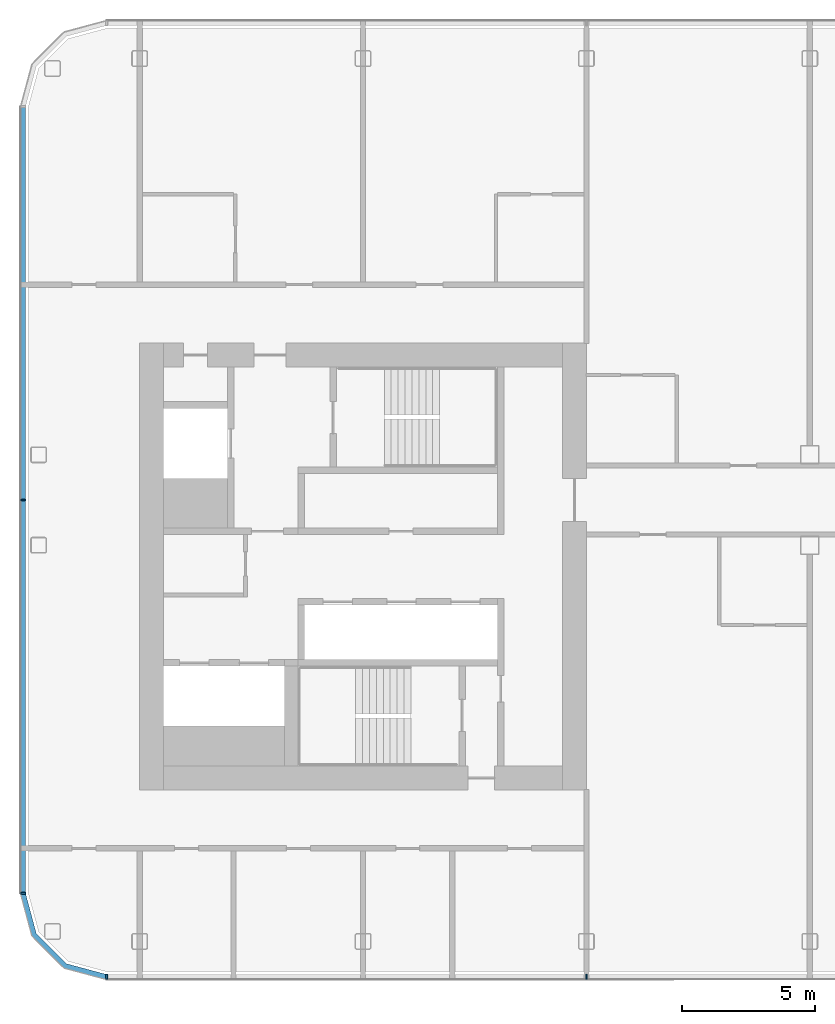
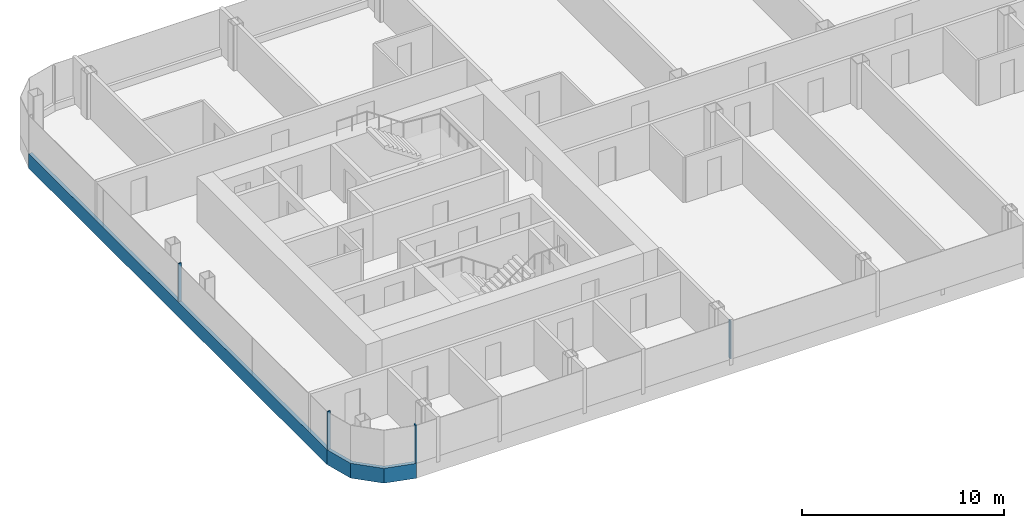
# One storey, part 2 of 25: 6 members, 3 elements without a shape of their own.
"""IFC4 building model written with IfcOpenShell, lengths in metres."""

import ifcopenshell
import ifcopenshell.guid

model = None  # the IFC model being written
_history = None  # IfcOwnerHistory: only IFC2X3 demands one
_inside = {}  # id of a spatial element -> (the spatial element, [elements in it])
_under = {}  # id of a project, library or spatial element -> (it, [spatial elements below it])
_declared = {}  # id of a project -> (the project, [libraries it declares])
_typed = {}  # id of a type object -> (the type object, [elements of that type])
_made_of = {}  # id of a material, layer set ... -> (it, [elements and type objects made of it])


def new_model(schema):
    """Start an empty IFC model of exactly this schema.

    Asked for "IFC4X3", IfcOpenShell would pick the latest addendum, in which some entities
    have other attributes; the version numbers below select the first issue.
    IFC2X3 requires an IfcOwnerHistory on every rooted entity: one is made here for all.
    """
    global model, _history
    if schema == "IFC4X3":
        model = ifcopenshell.file(schema_version=(4, 3, 0, 0))
    else:
        model = ifcopenshell.file(schema=schema)
    _inside.clear()
    _under.clear()
    _declared.clear()
    _typed.clear()
    _made_of.clear()
    _history = None
    if model.schema == "IFC2X3":
        org = make("IfcOrganization", Name="unknown")
        user = make(
            "IfcPersonAndOrganization",
            ThePerson=make("IfcPerson", FamilyName="unknown"),
            TheOrganization=org,
        )
        app = make(
            "IfcApplication",
            ApplicationDeveloper=org,
            Version="unknown",
            ApplicationFullName="unknown",
            ApplicationIdentifier="unknown",
        )
        _history = make(
            "IfcOwnerHistory",
            OwningUser=user,
            OwningApplication=app,
            ChangeAction="ADDED",
            CreationDate=0,
        )
    return model


def make(cls, **values):
    """One entity of the class cls with the attributes given. An attribute that is None is left unset."""
    return model.create_entity(
        cls, **{name: value for name, value in values.items() if value is not None}
    )


def rooted(cls, **values):
    """An entity with a GlobalId (a new one), such as an element, a storey or a relation."""
    return make(cls, GlobalId=ifcopenshell.guid.new(), OwnerHistory=_history, **values)


def si_unit(unit_type, name, prefix=None):
    """IfcSIUnit, for example si_unit("LENGTHUNIT", "METRE", prefix="MILLI")."""
    return make("IfcSIUnit", UnitType=unit_type, Prefix=prefix, Name=name)


def assignment(units):
    """IfcUnitAssignment: the units of a project."""
    return None if units is None else make("IfcUnitAssignment", Units=units)


def point(xyz):
    """IfcCartesianPoint."""
    return None if xyz is None else make("IfcCartesianPoint", Coordinates=xyz)


def direction(xyz):
    """IfcDirection."""
    return None if xyz is None else make("IfcDirection", DirectionRatios=xyz)


def frame(location, z_axis=None, x_axis=None):
    """IfcAxis2Placement3D, a coordinate frame: its origin and axes. An axis left out is left unset."""
    return make(
        "IfcAxis2Placement3D",
        Location=point(location),
        Axis=direction(z_axis),
        RefDirection=direction(x_axis),
    )


def frame_2d(location, x_axis=None):
    """IfcAxis2Placement2D, a coordinate frame in the plane: its origin and x axis."""
    return make(
        "IfcAxis2Placement2D", Location=point(location), RefDirection=direction(x_axis)
    )


def origin():
    """The frame at (0, 0, 0) with its axes left unset."""
    return frame((0.0, 0.0, 0.0))


def origin_2d():
    """The frame at (0, 0) in the plane with its x axis left unset."""
    return frame_2d((0.0, 0.0))


def place(relative_to, where):
    """IfcLocalPlacement: puts the frame where relative to a parent placement (None: the world)."""
    return make(
        "IfcLocalPlacement", PlacementRelTo=relative_to, RelativePlacement=where
    )


def context(
    kind, dimensions, precision=None, world=None, true_north=None, identifier=None
):
    """IfcGeometricRepresentationContext, for example the 3D "Model" context."""
    return make(
        "IfcGeometricRepresentationContext",
        ContextIdentifier=identifier,
        ContextType=kind,
        CoordinateSpaceDimension=dimensions,
        Precision=precision,
        WorldCoordinateSystem=world,
        TrueNorth=true_north,
    )


def subcontext(parent, identifier, kind, view, scale=None):
    """IfcGeometricRepresentationSubContext, for example "Body" below "Model"."""
    return make(
        "IfcGeometricRepresentationSubContext",
        ContextIdentifier=identifier,
        ContextType=kind,
        ParentContext=parent,
        TargetScale=scale,
        TargetView=view,
    )


def project(units=None, contexts=None):
    """IfcProject with its units and contexts."""
    return rooted(
        "IfcProject",
        Name="project",
        RepresentationContexts=contexts,
        UnitsInContext=assignment(units),
    )


def spatial(cls, under=None, at=None, **own):
    """A site, building, storey or space (cls), placed at a placement, below another one or the project."""
    s = rooted(cls, ObjectPlacement=at, **own)
    if under is not None:
        _under.setdefault(under.id(), (under, []))[1].append(s)
    return s


def polyline(points):
    """IfcPolyline through the points."""
    return make("IfcPolyline", Points=[point(p) for p in points])


def profile(cls, at=None, kind="AREA", **sizes):
    """A parametric profile (cls). Its sizes go by their IFC names, for example OverallWidth=200.0."""
    return make(cls, ProfileType=kind, Position=at, **sizes)


def rectangle(**sizes):
    """IfcRectangleProfileDef."""
    return profile("IfcRectangleProfileDef", **sizes)


def outline(outer, holes=None, kind="AREA"):
    """IfcArbitraryClosedProfileDef: a profile drawn as a closed curve; with holes, ...WithVoids."""
    if holes is None:
        return make("IfcArbitraryClosedProfileDef", ProfileType=kind, OuterCurve=outer)
    return make(
        "IfcArbitraryProfileDefWithVoids",
        ProfileType=kind,
        OuterCurve=outer,
        InnerCurves=holes,
    )


def extrude(swept, where, along, depth):
    """IfcExtrudedAreaSolid: the profile swept, set in the frame where, extruded along a direction by depth."""
    return make(
        "IfcExtrudedAreaSolid",
        SweptArea=swept,
        Position=where,
        ExtrudedDirection=direction(along),
        Depth=depth,
    )


def shape(context_of_items, identifier, shape_type, items):
    """IfcShapeRepresentation: the items that make up one representation, for example the "Body"."""
    return make(
        "IfcShapeRepresentation",
        ContextOfItems=context_of_items,
        RepresentationIdentifier=identifier,
        RepresentationType=shape_type,
        Items=items,
    )


def material(Name=None, Category=None):
    """IfcMaterial."""
    return make("IfcMaterial", Name=Name, Category=Category)


def layer(
    of_material, thickness, ventilated=None, Name=None, Category=None, Priority=None
):
    """IfcMaterialLayer: one layer of a wall or slab, of a material (None: an air gap)."""
    return make(
        "IfcMaterialLayer",
        Material=of_material,
        LayerThickness=thickness,
        IsVentilated=ventilated,
        Name=Name,
        Category=Category,
        Priority=Priority,
    )


def layer_set(layers, Name=None):
    """IfcMaterialLayerSet."""
    return make("IfcMaterialLayerSet", MaterialLayers=layers, LayerSetName=Name)


def material_profile(
    of_material, cross_section, Name=None, Category=None, Priority=None
):
    """IfcMaterialProfile: a cross section and its material."""
    return make(
        "IfcMaterialProfile",
        Name=Name,
        Material=of_material,
        Profile=cross_section,
        Priority=Priority,
        Category=Category,
    )


def profile_set(profiles, Name=None, composite=None):
    """IfcMaterialProfileSet."""
    return make(
        "IfcMaterialProfileSet",
        Name=Name,
        MaterialProfiles=profiles,
        CompositeProfile=composite,
    )


def made_of(thing, what):
    """Note that an element or type object is made of a material, layer set ...; save() writes the relation."""
    if what is not None:
        _made_of.setdefault(what.id(), (what, []))[1].append(thing)
    return thing


def type_object(cls, material=None, **own):
    """A type object (cls), such as IfcWallType, which elements share."""
    return made_of(rooted(cls, **own), material)


def element(
    cls,
    number,
    at=None,
    inside=None,
    cuts=None,
    type_object=None,
    material=None,
    context=None,
    identifier="Body",
    shape_type=None,
    held_by="IfcProductDefinitionShape",
    body=None,
    shapes=None,
    **own,
):
    """One element of the class cls, such as IfcWall. Its Tag is "e" and its number.

    at: its placement. inside: the storey or other place that contains it. cuts: it is an
    opening in that element (IfcRelVoidsElement). A single representation is given by context,
    identifier, shape_type and body (its items); several are given by shapes. held_by: the class
    of the entity that holds the representations. save() writes the other relations.
    """
    e = rooted(cls, Tag="e%d" % number, ObjectPlacement=at, **own)
    if body is not None:
        shapes = [shape(context, identifier, shape_type, body)]
    if shapes is not None:
        e.Representation = make(held_by, Representations=shapes)
    if inside is not None:
        _inside.setdefault(inside.id(), (inside, []))[1].append(e)
    if cuts is not None:
        rooted(
            "IfcRelVoidsElement", RelatingBuildingElement=cuts, RelatedOpeningElement=e
        )
    if type_object is not None:
        _typed.setdefault(type_object.id(), (type_object, []))[1].append(e)
    return made_of(e, material)


def aggregate(whole, parts):
    """IfcRelAggregates: a whole, such as a stair, and the parts it consists of."""
    return rooted("IfcRelAggregates", RelatingObject=whole, RelatedObjects=parts)


def save(model, path):
    """Write the relations noted so far, then the file.

    IfcRelAggregates (storeys below a building ...), IfcRelContainedInSpatialStructure (elements
    in a storey), IfcRelDefinesByType, IfcRelAssociatesMaterial and IfcRelDeclares: one each for
    every whole, place, type object, material and project.
    """
    for whole, parts in _under.values():
        aggregate(whole, parts)
    for where, things in _inside.values():
        rooted(
            "IfcRelContainedInSpatialStructure",
            RelatedElements=things,
            RelatingStructure=where,
        )
    for kind, things in _typed.values():
        rooted("IfcRelDefinesByType", RelatedObjects=things, RelatingType=kind)
    for what, things in _made_of.values():
        rooted("IfcRelAssociatesMaterial", RelatedObjects=things, RelatingMaterial=what)
    for by, libraries in _declared.values():
        rooted("IfcRelDeclares", RelatingContext=by, RelatedDefinitions=libraries)
    model.write(path)


model = new_model("IFC4")

# Units and contexts
model_context = context("Model", 3, precision=1e-05, world=origin(), true_north=direction((0.0, 1.0)))
body_context = subcontext(model_context, "Body", "Model", "MODEL_VIEW")
ifc_project = project(units=[si_unit("LENGTHUNIT", "METRE"), si_unit("AREAUNIT", "SQUARE_METRE"), si_unit("VOLUMEUNIT", "CUBIC_METRE"), si_unit("PLANEANGLEUNIT", "RADIAN"), si_unit("MASSUNIT", "GRAM", prefix="KILO")], contexts=[model_context])

# Site, building, storey
site_placement = place(None, origin())
site = spatial("IfcSite", under=ifc_project, at=site_placement, CompositionType="ELEMENT")
building_placement = place(site_placement, origin())
building = spatial("IfcBuilding", under=site, at=building_placement, Name="Hakoniwa Tower and Hamabe Station Hall", CompositionType="ELEMENT")
storey_placement = place(building_placement, frame((0.0, 0.0, 202.60009765625)))
storey = spatial("IfcBuildingStorey", under=building, at=storey_placement, Name="L57", CompositionType="ELEMENT", Elevation=202.60009765625)

# Curtain wall, member
ifc_material_1 = material(Name="Dark low-e laminated glass", Category="glass")
ifc_layer = layer(ifc_material_1, 0.199951171875)
ifc_layer_set = layer_set([ifc_layer], Name="CW-1 UNITISED GUEST")
curtain_wall_type = type_object("IfcCurtainWallType", Name="CW-1 UNITISED GUEST", PredefinedType="NOTDEFINED", material=ifc_layer_set)
curtain_wall_1_placement = place(storey_placement, origin())
curtain_wall_1 = element("IfcCurtainWall", 1, at=curtain_wall_1_placement, inside=storey, type_object=curtain_wall_type, Name="CW-1 curtain wall", PredefinedType="NOTDEFINED")
ifc_material_2 = material(Name="Aluminium 6063-T5 black anodised", Category="aluminium")
ifc_material_profile_1 = material_profile(ifc_material_2, rectangle(XDim=0.199951171875, YDim=0.89990234375, at=origin_2d()), Name="CW SLAB-EDGE BAND 900X200")
ifc_profile_set_1 = profile_set([ifc_material_profile_1], Name="Aluminium 6063-T5 black anodised")
member_type_1 = type_object("IfcMemberType", Name="CW SLAB-EDGE BAND 900X200", PredefinedType="USERDEFINED", material=ifc_profile_set_1)
member_1_placement = place(storey_placement, frame((-38.0, 17.28955078125, -0.10009765625), z_axis=(0.0, -1.0, 0.0), x_axis=(1.0, 0.0, 0.0)))
member_1 = element("IfcMember", 2, at=member_1_placement, type_object=member_type_1, Name="CW-1 transom", ObjectType="TRANSOM", PredefinedType="USERDEFINED", context=body_context, shape_type="SweptSolid", body=[
    extrude(rectangle(XDim=0.199951171875, YDim=0.89990234375, at=origin_2d()), origin(), (0.0, 0.0, 1.0), 29.5791015625),
])

curtain_wall_2_placement = place(storey_placement, origin())
curtain_wall_2 = element("IfcCurtainWall", 3, at=curtain_wall_2_placement, inside=storey, type_object=curtain_wall_type, Name="CW-1 curtain wall", PredefinedType="NOTDEFINED")
member_2_placement = place(storey_placement, frame((0.0, 0.0, -0.550048828125)))
member_2 = element("IfcMember", 4, at=member_2_placement, type_object=member_type_1, Name="CW-1 transom", ObjectType="TRANSOM", PredefinedType="USERDEFINED", context=body_context, shape_type="SweptSolid", body=[
    extrude(outline(polyline([(-38.10009765625, -12.28955078125), (-37.6669921875, -13.9052734375), (-36.455322265625, -15.116943359375), (-34.839599609375, -15.550048828125), (-34.787841796875, -15.35693359375), (-36.351806640625, -14.937744140625), (-37.48779296875, -13.8017578125), (-37.90673828125, -12.23779296875), (-38.10009765625, -12.28955078125)])), origin(), (0.0, 0.0, 1.0), 0.89990234375),
])
aggregate(curtain_wall_2, [member_2])

# Member
ifc_material_3 = material(Name="Aluminium 6063-T5 black anodised", Category="aluminium")
ifc_material_profile_2 = material_profile(ifc_material_3, rectangle(XDim=0.06005859375, YDim=0.179931640625, at=origin_2d()), Name="CW-1 MULLION 60X180")
ifc_profile_set_2 = profile_set([ifc_material_profile_2], Name="Aluminium 6063-T5 black anodised")
member_type_2 = type_object("IfcMemberType", Name="CW-1 MULLION 60X180", PredefinedType="MULLION", material=ifc_profile_set_2)
member_3_placement = place(storey_placement, frame((-37.98193359375, 2.5, 0.349853515625), z_axis=(0.0, 0.0, 1.0), x_axis=(0.0, -1.0, 0.0)))
member_3 = element("IfcMember", 5, at=member_3_placement, type_object=member_type_2, Name="CW-1 mullion", PredefinedType="MULLION", context=body_context, shape_type="SweptSolid", body=[
    extrude(rectangle(XDim=0.06005859375, YDim=0.179931640625, at=origin_2d()), origin(), (0.0, 0.0, 1.0), 2.300048828125),
])

member_4_placement = place(storey_placement, frame((-37.98193359375, -12.28955078125, 0.349853515625), z_axis=(0.0, 0.0, 1.0), x_axis=(0.0, -1.0, 0.0)))
member_4 = element("IfcMember", 6, at=member_4_placement, type_object=member_type_2, Name="CW-1 mullion", PredefinedType="MULLION", context=body_context, shape_type="SweptSolid", body=[
    extrude(rectangle(XDim=0.06005859375, YDim=0.179931640625, at=origin_2d()), origin(), (0.0, 0.0, 1.0), 2.300048828125),
])

aggregate(curtain_wall_1, [member_3, member_4, member_1])

# Curtain wall, members
curtain_wall_3_placement = place(storey_placement, origin())
curtain_wall_3 = element("IfcCurtainWall", 7, at=curtain_wall_3_placement, inside=storey, type_object=curtain_wall_type, Name="CW-1 curtain wall", PredefinedType="NOTDEFINED")
member_5_placement = place(storey_placement, frame((-34.839599609375, -15.431884765625, 0.349853515625), z_axis=(0.0, 0.0, 1.0), x_axis=(1.0, 0.0, 0.0)))
member_5 = element("IfcMember", 8, at=member_5_placement, type_object=member_type_2, Name="CW-1 mullion", PredefinedType="MULLION", context=body_context, shape_type="SweptSolid", body=[
    extrude(rectangle(XDim=0.06005859375, YDim=0.179931640625, at=origin_2d()), origin(), (0.0, 0.0, 1.0), 2.300048828125),
])
member_6_placement = place(storey_placement, frame((-16.800048828125, -15.431884765625, 0.349853515625), z_axis=(0.0, 0.0, 1.0), x_axis=(1.0, 0.0, 0.0)))
member_6 = element("IfcMember", 9, at=member_6_placement, type_object=member_type_2, Name="CW-1 mullion", PredefinedType="MULLION", context=body_context, shape_type="SweptSolid", body=[
    extrude(rectangle(XDim=0.06005859375, YDim=0.179931640625, at=origin_2d()), origin(), (0.0, 0.0, 1.0), 2.300048828125),
])
aggregate(curtain_wall_3, [member_5, member_6])

save(model, "model.ifc")
